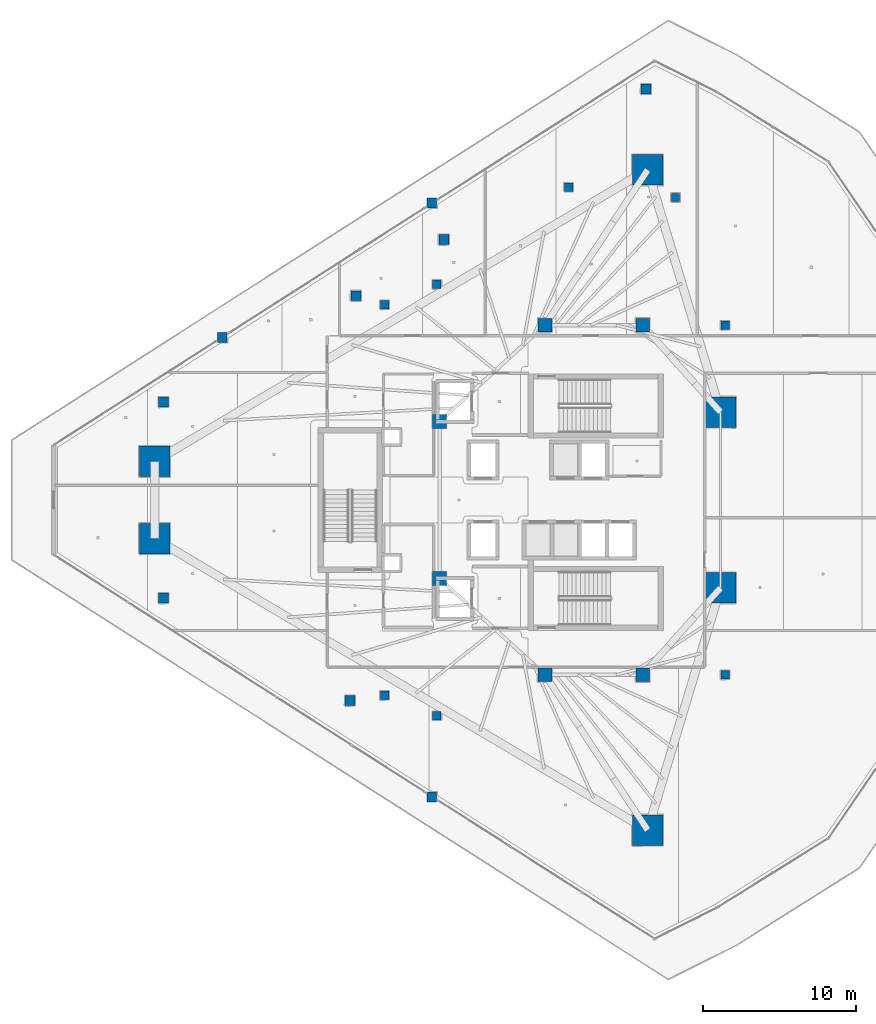
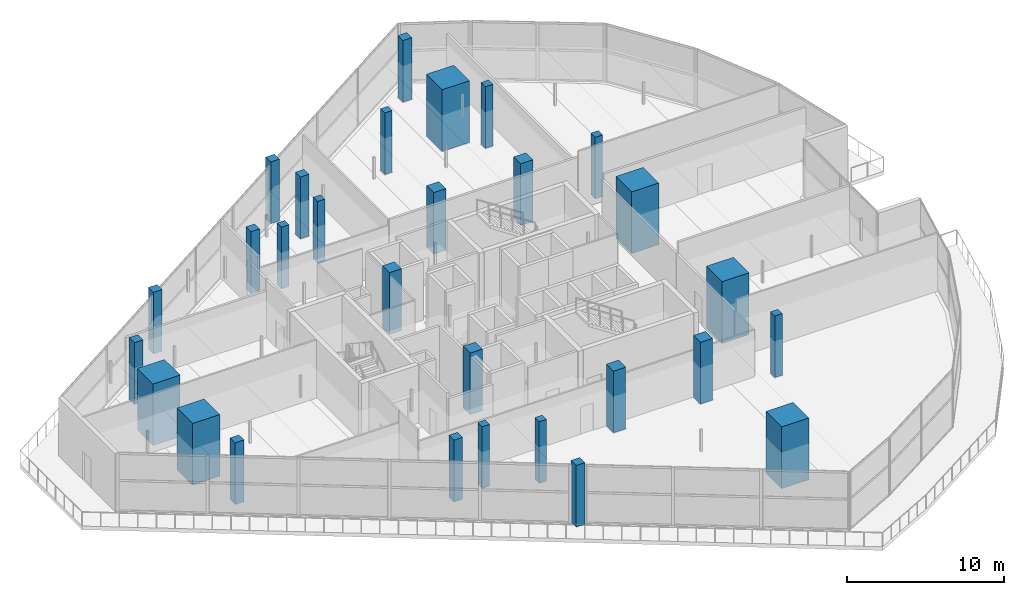
# One storey, part 1 of 36: 29 columns.
"""IFC4 building model written with IfcOpenShell, lengths in metres."""

from ifc_helpers import new_model, si_unit, direction, frame, origin, origin_2d, place, context, subcontext, project, spatial, rectangle, extrude, material, material_profile, profile_set, type_object, element, save


model = new_model("IFC4")

# Units and contexts
model_context = context("Model", 3, precision=1e-05, world=origin(), true_north=direction((0.0, 1.0)))
body_context = subcontext(model_context, "Body", "Model", "MODEL_VIEW")
ifc_project = project(units=[si_unit("LENGTHUNIT", "METRE"), si_unit("AREAUNIT", "SQUARE_METRE"), si_unit("VOLUMEUNIT", "CUBIC_METRE"), si_unit("PLANEANGLEUNIT", "RADIAN"), si_unit("MASSUNIT", "GRAM", prefix="KILO")], contexts=[model_context])

# Site, building, storey
site_placement = place(None, origin())
site = spatial("IfcSite", under=ifc_project, at=site_placement, CompositionType="ELEMENT")
building_placement = place(site_placement, origin())
building = spatial("IfcBuilding", under=site, at=building_placement, Name="Qorvath Tower", CompositionType="ELEMENT")
storey_placement = place(building_placement, frame((0.0, 0.0, 180.0)))
storey = spatial("IfcBuildingStorey", under=building, at=storey_placement, Name="L41", CompositionType="ELEMENT", Elevation=180.0)

# Columns
ifc_material_1 = material(Name="Concrete C60/75", Category="concrete")
ifc_material_profile_1 = material_profile(ifc_material_1, rectangle(XDim=2.0, YDim=2.0, at=origin_2d()), Name="MC 2000x2000")
ifc_profile_set_1 = profile_set([ifc_material_profile_1], Name="Concrete C60/75")
column_type_1 = type_object("IfcColumnType", Name="COL-MC3", PredefinedType="COLUMN", material=ifc_profile_set_1)
for number, where, z_axis, x_axis, name in (
    (1, (-49.171875, 2.52783203125, 0.0), (0.0, 0.0, 1.0), (1.0, 0.0, 0.0), "Composite Mega-Column MC1 L41"),
    (2, (-49.171875, -2.52783203125, 0.0), (0.0, 0.0, 1.0), (1.0, 0.0, 0.0), "Composite Mega-Column MC2 L41"),
    (3, (-16.87158203125, -21.627197265625, 0.0), (0.0, 0.0, 1.0), (1.0, 0.0, 0.0), "Composite Mega-Column MC3 L41"),
    (4, (-12.0966796875, -5.7578125, 0.0), (0.0, 0.0, 1.0), (1.0, 0.0, 0.0), "Composite Mega-Column MC4 L41"),
    (5, (-12.0966796875, 5.7578125, 0.0), (0.0, 0.0, 1.0), (1.0, 0.0, 0.0), "Composite Mega-Column MC5 L41"),
    (6, (-16.87158203125, 21.627197265625, 0.0), (0.0, 0.0, 1.0), (1.0, 0.0, 0.0), "Composite Mega-Column MC6 L41"),
):
    element("IfcColumn", number, at=place(storey_placement, frame(where, z_axis=z_axis, x_axis=x_axis)), inside=storey, type_object=column_type_1, Name=name, PredefinedType="COLUMN", context=body_context, shape_type="SweptSolid", body=[
        extrude(rectangle(XDim=2.0, YDim=2.0, at=origin_2d()), origin(), (0.0, 0.0, 1.0), 4.800048828125),
    ])
ifc_material_2 = material(Name="Concrete C50/60", Category="concrete")
ifc_material_profile_2 = material_profile(ifc_material_2, rectangle(XDim=0.89990234375, YDim=0.89990234375, at=origin_2d()), Name="RC 900x900")
ifc_profile_set_2 = profile_set([ifc_material_profile_2], Name="Concrete C50/60")
column_type_2 = type_object("IfcColumnType", Name="COL-RC3", PredefinedType="COLUMN", material=ifc_profile_set_2)
for number, where, z_axis, x_axis, name in (
    (7, (-23.60009765625, 11.449951171875, 0.0), (0.0, 0.0, 1.0), (1.0, 0.0, 0.0), "Core Spine Column CC1 L41"),
    (8, (-17.199951171875, 11.449951171875, 0.0), (0.0, 0.0, 1.0), (1.0, 0.0, 0.0), "Core Spine Column CC2 L41"),
    (9, (-17.199951171875, -11.449951171875, 0.0), (0.0, 0.0, 1.0), (1.0, 0.0, 0.0), "Core Spine Column CC3 L41"),
    (10, (-23.60009765625, -11.449951171875, 0.0), (0.0, 0.0, 1.0), (1.0, 0.0, 0.0), "Core Spine Column CC4 L41"),
    (11, (-30.5, 5.14990234375, 0.0), (0.0, 0.0, 1.0), (1.0, 0.0, 0.0), "Core Spine Column CC5 L41"),
    (12, (-30.5, -5.14990234375, 0.0), (0.0, 0.0, 1.0), (1.0, 0.0, 0.0), "Core Spine Column CC6 L41"),
):
    element("IfcColumn", number, at=place(storey_placement, frame(where, z_axis=z_axis, x_axis=x_axis)), inside=storey, type_object=column_type_2, Name=name, PredefinedType="COLUMN", context=body_context, shape_type="SweptSolid", body=[
        extrude(rectangle(XDim=0.89990234375, YDim=0.89990234375, at=origin_2d()), origin(), (0.0, 0.0, 1.0), 4.800048828125),
    ])
ifc_material_3 = material(Name="Concrete C45/55", Category="concrete")
ifc_material_profile_3 = material_profile(ifc_material_3, rectangle(XDim=0.64990234375, YDim=0.64990234375, at=origin_2d()), Name="RC 650x650")
ifc_profile_set_3 = profile_set([ifc_material_profile_3], Name="Concrete C45/55")
column_type_3 = type_object("IfcColumnType", Name="COL-RC6", PredefinedType="COLUMN", material=ifc_profile_set_3)
for number, where, z_axis, x_axis, name in (
    (13, (-31.01611328125, 19.46044921875, 0.0), (0.0, 0.0, 1.0), (1.0, 0.0, 0.0), "Loggia Frame Pier Column LGD1 L41"),
    (14, (-31.01611328125, -19.46044921875, 0.0), (0.0, 0.0, 1.0), (1.0, 0.0, 0.0), "Loggia Frame Pier Column LGD2 L41"),
    (15, (-44.736328125, 10.65234375, 0.0), (0.0, 0.0, 1.0), (1.0, 0.0, 0.0), "Loggia Frame Pier Column LGD3 L41"),
    (16, (-48.578369140625, 6.424560546875, 0.0), (0.0, 0.0, 1.0), (1.0, 0.0, 0.0), "Loggia Frame Pier Column LGE1 L41"),
    (17, (-48.578369140625, -6.424560546875, 0.0), (0.0, 0.0, 1.0), (1.0, 0.0, 0.0), "Loggia Frame Pier Column LGE2 L41"),
    (18, (-16.981201171875, 26.92919921875, 0.0), (0.0, 0.0, 1.0), (1.0, 0.0, 0.0), "Loggia Frame Pier Column LGE3 L41"),
    (19, (-35.980712890625, 13.380859375, 0.0), (0.0, 0.0, 1.0), (1.0, 0.0, 0.0), "Loggia Frame Pier Column LGF1 L41"),
    (20, (-36.36474609375, -13.135498046875, 0.0), (0.0, 0.0, 1.0), (1.0, 0.0, 0.0), "Loggia Frame Pier Column LGF2 L41"),
    (21, (-30.224853515625, 17.0595703125, 0.0), (0.0, 0.0, 1.0), (1.0, 0.0, 0.0), "Loggia Frame Pier Column LGF3 L41"),
):
    element("IfcColumn", number, at=place(storey_placement, frame(where, z_axis=z_axis, x_axis=x_axis)), inside=storey, type_object=column_type_3, Name=name, PredefinedType="COLUMN", context=body_context, shape_type="SweptSolid", body=[
        extrude(rectangle(XDim=0.64990234375, YDim=0.64990234375, at=origin_2d()), origin(), (0.0, 0.0, 1.0), 4.800048828125),
    ])
ifc_material_4 = material(Name="Concrete C45/55", Category="concrete")
ifc_material_profile_4 = material_profile(ifc_material_4, rectangle(XDim=0.550048828125, YDim=0.550048828125, at=origin_2d()), Name="RC 550x550")
ifc_profile_set_4 = profile_set([ifc_material_profile_4], Name="Concrete C45/55")
column_type_4 = type_object("IfcColumnType", Name="COL-RC7", PredefinedType="COLUMN", material=ifc_profile_set_4)
for number, where, z_axis, x_axis, name in (
    (22, (-34.104248046875, 12.79248046875, 0.0), (0.0, 0.0, 1.0), (1.0, 0.0, 0.0), "Loggia Frame Pier Column LGG1 L41"),
    (23, (-34.104248046875, -12.79248046875, 0.0), (0.0, 0.0, 1.0), (1.0, 0.0, 0.0), "Loggia Frame Pier Column LGG2 L41"),
    (24, (-22.05322265625, 20.494873046875, 0.0), (0.0, 0.0, 1.0), (1.0, 0.0, 0.0), "Loggia Frame Pier Column LGG3 L41"),
    (25, (-30.67724609375, 14.124267578125, 0.0), (0.0, 0.0, 1.0), (1.0, 0.0, 0.0), "Loggia Frame Pier Column LGH1 L41"),
    (26, (-30.67724609375, -14.124267578125, 0.0), (0.0, 0.0, 1.0), (1.0, 0.0, 0.0), "Loggia Frame Pier Column LGH2 L41"),
    (27, (-15.046142578125, 19.818115234375, 0.0), (0.0, 0.0, 1.0), (1.0, 0.0, 0.0), "Loggia Frame Pier Column LGH3 L41"),
    (28, (-11.800048828125, -11.449951171875, 0.0), (0.0, 0.0, 1.0), (1.0, 0.0, 0.0), "Central Slot Jamb Column SC1 L41"),
    (29, (-11.800048828125, 11.449951171875, 0.0), (0.0, 0.0, 1.0), (1.0, 0.0, 0.0), "Central Slot Jamb Column SC2 L41"),
):
    element("IfcColumn", number, at=place(storey_placement, frame(where, z_axis=z_axis, x_axis=x_axis)), inside=storey, type_object=column_type_4, Name=name, PredefinedType="COLUMN", context=body_context, shape_type="SweptSolid", body=[
        extrude(rectangle(XDim=0.550048828125, YDim=0.550048828125, at=origin_2d()), origin(), (0.0, 0.0, 1.0), 4.800048828125),
    ])

save(model, "model.ifc")
